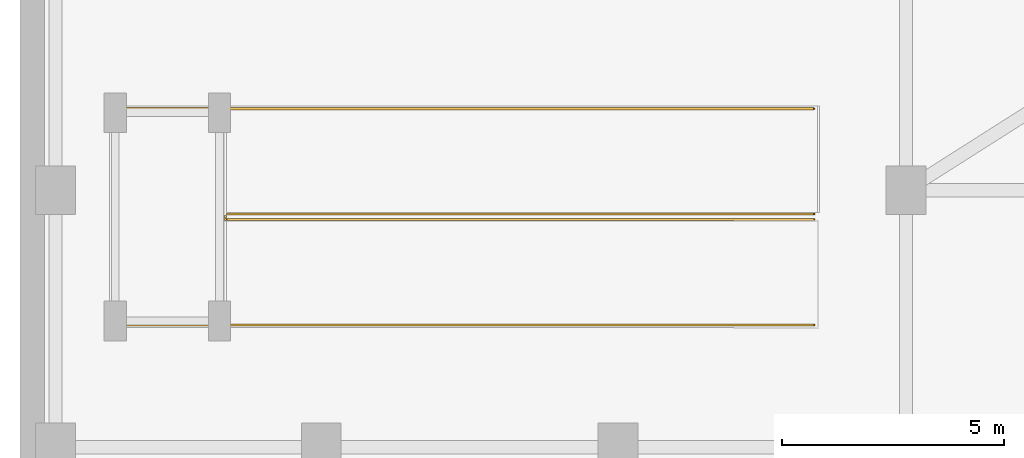
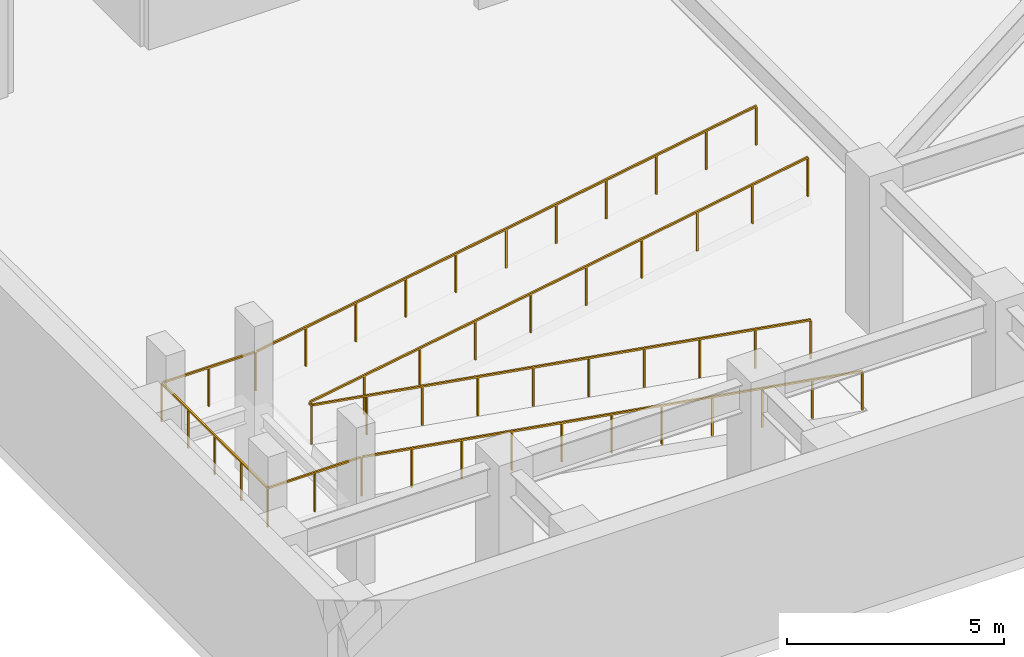
# One storey, part 7 of 8: 2 railings.
"""IFC4 building model written with IfcOpenShell, lengths in metres."""

import ifcopenshell
import ifcopenshell.guid

model = None  # the IFC model being written
_history = None  # IfcOwnerHistory: only IFC2X3 demands one
_inside = {}  # id of a spatial element -> (the spatial element, [elements in it])
_under = {}  # id of a project, library or spatial element -> (it, [spatial elements below it])
_declared = {}  # id of a project -> (the project, [libraries it declares])
_typed = {}  # id of a type object -> (the type object, [elements of that type])
_made_of = {}  # id of a material, layer set ... -> (it, [elements and type objects made of it])


def new_model(schema):
    """Start an empty IFC model of exactly this schema.

    Asked for "IFC4X3", IfcOpenShell would pick the latest addendum, in which some entities
    have other attributes; the version numbers below select the first issue.
    IFC2X3 requires an IfcOwnerHistory on every rooted entity: one is made here for all.
    """
    global model, _history
    if schema == "IFC4X3":
        model = ifcopenshell.file(schema_version=(4, 3, 0, 0))
    else:
        model = ifcopenshell.file(schema=schema)
    _inside.clear()
    _under.clear()
    _declared.clear()
    _typed.clear()
    _made_of.clear()
    _history = None
    if model.schema == "IFC2X3":
        org = make("IfcOrganization", Name="unknown")
        user = make(
            "IfcPersonAndOrganization",
            ThePerson=make("IfcPerson", FamilyName="unknown"),
            TheOrganization=org,
        )
        app = make(
            "IfcApplication",
            ApplicationDeveloper=org,
            Version="unknown",
            ApplicationFullName="unknown",
            ApplicationIdentifier="unknown",
        )
        _history = make(
            "IfcOwnerHistory",
            OwningUser=user,
            OwningApplication=app,
            ChangeAction="ADDED",
            CreationDate=0,
        )
    return model


def make(cls, **values):
    """One entity of the class cls with the attributes given. An attribute that is None is left unset."""
    return model.create_entity(
        cls, **{name: value for name, value in values.items() if value is not None}
    )


def rooted(cls, **values):
    """An entity with a GlobalId (a new one), such as an element, a storey or a relation."""
    return make(cls, GlobalId=ifcopenshell.guid.new(), OwnerHistory=_history, **values)


def si_unit(unit_type, name, prefix=None):
    """IfcSIUnit, for example si_unit("LENGTHUNIT", "METRE", prefix="MILLI")."""
    return make("IfcSIUnit", UnitType=unit_type, Prefix=prefix, Name=name)


def assignment(units):
    """IfcUnitAssignment: the units of a project."""
    return None if units is None else make("IfcUnitAssignment", Units=units)


def point(xyz):
    """IfcCartesianPoint."""
    return None if xyz is None else make("IfcCartesianPoint", Coordinates=xyz)


def direction(xyz):
    """IfcDirection."""
    return None if xyz is None else make("IfcDirection", DirectionRatios=xyz)


def frame(location, z_axis=None, x_axis=None):
    """IfcAxis2Placement3D, a coordinate frame: its origin and axes. An axis left out is left unset."""
    return make(
        "IfcAxis2Placement3D",
        Location=point(location),
        Axis=direction(z_axis),
        RefDirection=direction(x_axis),
    )


def frame_2d(location, x_axis=None):
    """IfcAxis2Placement2D, a coordinate frame in the plane: its origin and x axis."""
    return make(
        "IfcAxis2Placement2D", Location=point(location), RefDirection=direction(x_axis)
    )


def origin():
    """The frame at (0, 0, 0) with its axes left unset."""
    return frame((0.0, 0.0, 0.0))


def origin_2d():
    """The frame at (0, 0) in the plane with its x axis left unset."""
    return frame_2d((0.0, 0.0))


def place(relative_to, where):
    """IfcLocalPlacement: puts the frame where relative to a parent placement (None: the world)."""
    return make(
        "IfcLocalPlacement", PlacementRelTo=relative_to, RelativePlacement=where
    )


def context(
    kind, dimensions, precision=None, world=None, true_north=None, identifier=None
):
    """IfcGeometricRepresentationContext, for example the 3D "Model" context."""
    return make(
        "IfcGeometricRepresentationContext",
        ContextIdentifier=identifier,
        ContextType=kind,
        CoordinateSpaceDimension=dimensions,
        Precision=precision,
        WorldCoordinateSystem=world,
        TrueNorth=true_north,
    )


def subcontext(parent, identifier, kind, view, scale=None):
    """IfcGeometricRepresentationSubContext, for example "Body" below "Model"."""
    return make(
        "IfcGeometricRepresentationSubContext",
        ContextIdentifier=identifier,
        ContextType=kind,
        ParentContext=parent,
        TargetScale=scale,
        TargetView=view,
    )


def project(units=None, contexts=None):
    """IfcProject with its units and contexts."""
    return rooted(
        "IfcProject",
        Name="project",
        RepresentationContexts=contexts,
        UnitsInContext=assignment(units),
    )


def spatial(cls, under=None, at=None, **own):
    """A site, building, storey or space (cls), placed at a placement, below another one or the project."""
    s = rooted(cls, ObjectPlacement=at, **own)
    if under is not None:
        _under.setdefault(under.id(), (under, []))[1].append(s)
    return s


def profile(cls, at=None, kind="AREA", **sizes):
    """A parametric profile (cls). Its sizes go by their IFC names, for example OverallWidth=200.0."""
    return make(cls, ProfileType=kind, Position=at, **sizes)


def rectangle(**sizes):
    """IfcRectangleProfileDef."""
    return profile("IfcRectangleProfileDef", **sizes)


def extrude(swept, where, along, depth):
    """IfcExtrudedAreaSolid: the profile swept, set in the frame where, extruded along a direction by depth."""
    return make(
        "IfcExtrudedAreaSolid",
        SweptArea=swept,
        Position=where,
        ExtrudedDirection=direction(along),
        Depth=depth,
    )


def shape(context_of_items, identifier, shape_type, items):
    """IfcShapeRepresentation: the items that make up one representation, for example the "Body"."""
    return make(
        "IfcShapeRepresentation",
        ContextOfItems=context_of_items,
        RepresentationIdentifier=identifier,
        RepresentationType=shape_type,
        Items=items,
    )


def material(Name=None, Category=None):
    """IfcMaterial."""
    return make("IfcMaterial", Name=Name, Category=Category)


def made_of(thing, what):
    """Note that an element or type object is made of a material, layer set ...; save() writes the relation."""
    if what is not None:
        _made_of.setdefault(what.id(), (what, []))[1].append(thing)
    return thing


def type_object(cls, material=None, **own):
    """A type object (cls), such as IfcWallType, which elements share."""
    return made_of(rooted(cls, **own), material)


def element(
    cls,
    number,
    at=None,
    inside=None,
    cuts=None,
    type_object=None,
    material=None,
    context=None,
    identifier="Body",
    shape_type=None,
    held_by="IfcProductDefinitionShape",
    body=None,
    shapes=None,
    **own,
):
    """One element of the class cls, such as IfcWall. Its Tag is "e" and its number.

    at: its placement. inside: the storey or other place that contains it. cuts: it is an
    opening in that element (IfcRelVoidsElement). A single representation is given by context,
    identifier, shape_type and body (its items); several are given by shapes. held_by: the class
    of the entity that holds the representations. save() writes the other relations.
    """
    e = rooted(cls, Tag="e%d" % number, ObjectPlacement=at, **own)
    if body is not None:
        shapes = [shape(context, identifier, shape_type, body)]
    if shapes is not None:
        e.Representation = make(held_by, Representations=shapes)
    if inside is not None:
        _inside.setdefault(inside.id(), (inside, []))[1].append(e)
    if cuts is not None:
        rooted(
            "IfcRelVoidsElement", RelatingBuildingElement=cuts, RelatedOpeningElement=e
        )
    if type_object is not None:
        _typed.setdefault(type_object.id(), (type_object, []))[1].append(e)
    return made_of(e, material)


def aggregate(whole, parts):
    """IfcRelAggregates: a whole, such as a stair, and the parts it consists of."""
    return rooted("IfcRelAggregates", RelatingObject=whole, RelatedObjects=parts)


def save(model, path):
    """Write the relations noted so far, then the file.

    IfcRelAggregates (storeys below a building ...), IfcRelContainedInSpatialStructure (elements
    in a storey), IfcRelDefinesByType, IfcRelAssociatesMaterial and IfcRelDeclares: one each for
    every whole, place, type object, material and project.
    """
    for whole, parts in _under.values():
        aggregate(whole, parts)
    for where, things in _inside.values():
        rooted(
            "IfcRelContainedInSpatialStructure",
            RelatedElements=things,
            RelatingStructure=where,
        )
    for kind, things in _typed.values():
        rooted("IfcRelDefinesByType", RelatedObjects=things, RelatingType=kind)
    for what, things in _made_of.values():
        rooted("IfcRelAssociatesMaterial", RelatedObjects=things, RelatingMaterial=what)
    for by, libraries in _declared.values():
        rooted("IfcRelDeclares", RelatingContext=by, RelatedDefinitions=libraries)
    model.write(path)


model = new_model("IFC4")

# Units and contexts
model_context = context("Model", 3, precision=1e-05, world=origin(), true_north=direction((0.0, 1.0)))
body_context = subcontext(model_context, "Body", "Model", "MODEL_VIEW")
ifc_project = project(units=[si_unit("LENGTHUNIT", "METRE"), si_unit("AREAUNIT", "SQUARE_METRE"), si_unit("VOLUMEUNIT", "CUBIC_METRE"), si_unit("PLANEANGLEUNIT", "RADIAN"), si_unit("MASSUNIT", "GRAM", prefix="KILO")], contexts=[model_context])

# Site, building, storey
site_placement = place(None, origin())
site = spatial("IfcSite", under=ifc_project, at=site_placement, CompositionType="ELEMENT")
building_placement = place(site_placement, origin())
building = spatial("IfcBuilding", under=site, at=building_placement, Name="Varnakorn Sky Granary", CompositionType="ELEMENT")
storey_placement = place(building_placement, frame((0.0, 0.0, -9.0)))
storey = spatial("IfcBuildingStorey", under=building, at=storey_placement, Name="B02", CompositionType="ELEMENT", Elevation=-9.0)

# Railings
ifc_material = material(Name="Brushed Stainless Steel 316", Category="steel")
railing_type = type_object("IfcRailingType", Name="RL-STAIR-1100", PredefinedType="GUARDRAIL", material=ifc_material)
railing_1_placement = place(storey_placement, frame((-16.080078125, -14.659912109375, 0.0)))
element("IfcRailing", 1, at=railing_1_placement, inside=storey, type_object=railing_type, Name="Vehicle Ramp Median Guard B02", PredefinedType="GUARDRAIL", context=body_context, shape_type="SweptSolid", body=[
    extrude(rectangle(XDim=0.048095703125, YDim=0.048095703125, at=origin_2d()), frame((0.0, 0.0, 1.09619140625), z_axis=(-0.985948982691, 0.0, 0.167046710626), x_axis=(0.0, -1.0, 0.0)), (0.0, 0.0, 1.0), 13.44140625),
    extrude(rectangle(XDim=0.048095703125, YDim=0.048095703125, at=origin_2d()), frame((-13.280029296875, 0.028076171875, 3.34619140625), z_axis=(0.0, 1.0, 0.0), x_axis=(-1.0, 0.0, 0.0)), (0.0, 0.0, 1.0), 0.06396484375),
    extrude(rectangle(XDim=0.048095703125, YDim=0.048095703125, at=origin_2d()), frame((-13.25244140625, 0.119873046875, 3.350830078125), z_axis=(0.985948982691, 0.0, 0.167046710626), x_axis=(0.0, 1.0, 0.0)), (0.0, 0.0, 1.0), 13.44140625),
    extrude(rectangle(XDim=0.0419921875, YDim=0.0419921875, at=origin_2d()), origin(), (0.0, 0.0, 1.0), 1.068115234375),
    extrude(rectangle(XDim=0.0419921875, YDim=0.0419921875, at=origin_2d()), frame((-1.4755859375, 0.0, 0.25)), (0.0, 0.0, 1.0), 1.068115234375),
    extrude(rectangle(XDim=0.0419921875, YDim=0.0419921875, at=origin_2d()), frame((-2.951171875, 0.0, 0.5)), (0.0, 0.0, 1.0), 1.068115234375),
    extrude(rectangle(XDim=0.0419921875, YDim=0.0419921875, at=origin_2d()), frame((-4.4267578125, 0.0, 0.75)), (0.0, 0.0, 1.0), 1.068115234375),
    extrude(rectangle(XDim=0.0419921875, YDim=0.0419921875, at=origin_2d()), frame((-5.90234375, 0.0, 1.0)), (0.0, 0.0, 1.0), 1.068115234375),
    extrude(rectangle(XDim=0.0419921875, YDim=0.0419921875, at=origin_2d()), frame((-7.377685546875, 0.0, 1.25)), (0.0, 0.0, 1.0), 1.068115234375),
    extrude(rectangle(XDim=0.0419921875, YDim=0.0419921875, at=origin_2d()), frame((-8.853271484375, 0.0, 1.5)), (0.0, 0.0, 1.0), 1.068115234375),
    extrude(rectangle(XDim=0.0419921875, YDim=0.0419921875, at=origin_2d()), frame((-10.328857421875, 0.0, 1.75)), (0.0, 0.0, 1.0), 1.068115234375),
    extrude(rectangle(XDim=0.0419921875, YDim=0.0419921875, at=origin_2d()), frame((-11.804443359375, 0.0, 2.0)), (0.0, 0.0, 1.0), 1.068115234375),
    extrude(rectangle(XDim=0.0419921875, YDim=0.0419921875, at=origin_2d()), frame((-13.280029296875, 0.0, 2.25)), (0.0, 0.0, 1.0), 1.068115234375),
    extrude(rectangle(XDim=0.0419921875, YDim=0.0419921875, at=origin_2d()), frame((-11.804443359375, 0.119873046875, 2.5)), (0.0, 0.0, 1.0), 1.068115234375),
    extrude(rectangle(XDim=0.0419921875, YDim=0.0419921875, at=origin_2d()), frame((-10.328857421875, 0.119873046875, 2.75)), (0.0, 0.0, 1.0), 1.068115234375),
    extrude(rectangle(XDim=0.0419921875, YDim=0.0419921875, at=origin_2d()), frame((-8.853271484375, 0.119873046875, 3.0)), (0.0, 0.0, 1.0), 1.068115234375),
    extrude(rectangle(XDim=0.0419921875, YDim=0.0419921875, at=origin_2d()), frame((-7.377685546875, 0.119873046875, 3.25)), (0.0, 0.0, 1.0), 1.068115234375),
    extrude(rectangle(XDim=0.0419921875, YDim=0.0419921875, at=origin_2d()), frame((-5.90234375, 0.119873046875, 3.5)), (0.0, 0.0, 1.0), 1.068115234375),
    extrude(rectangle(XDim=0.0419921875, YDim=0.0419921875, at=origin_2d()), frame((-4.4267578125, 0.119873046875, 3.75)), (0.0, 0.0, 1.0), 1.068115234375),
    extrude(rectangle(XDim=0.0419921875, YDim=0.0419921875, at=origin_2d()), frame((-2.951171875, 0.119873046875, 4.0)), (0.0, 0.0, 1.0), 1.068115234375),
    extrude(rectangle(XDim=0.0419921875, YDim=0.0419921875, at=origin_2d()), frame((-1.4755859375, 0.119873046875, 4.25)), (0.0, 0.0, 1.0), 1.068115234375),
    extrude(rectangle(XDim=0.0419921875, YDim=0.0419921875, at=origin_2d()), frame((0.0, 0.119873046875, 4.5)), (0.0, 0.0, 1.0), 1.068115234375),
])
railing_2_placement = place(storey_placement, frame((-16.080078125, -17.0400390625, 0.0)))
element("IfcRailing", 2, at=railing_2_placement, inside=storey, type_object=railing_type, Name="Vehicle Ramp Outer Perimeter Guard B02", PredefinedType="GUARDRAIL", context=body_context, shape_type="SweptSolid", body=[
    extrude(rectangle(XDim=0.048095703125, YDim=0.048095703125, at=origin_2d()), frame((0.0, 0.0, 1.09619140625), z_axis=(-0.986031067814, 0.0, 0.166561500073), x_axis=(0.0, -1.0, 0.0)), (0.0, 0.0, 1.0), 13.48046875),
    extrude(rectangle(XDim=0.048095703125, YDim=0.048095703125, at=origin_2d()), frame((-13.347900390625, 0.0, 3.34619140625), z_axis=(-1.0, 0.0, 0.0), x_axis=(0.0, -1.0, 0.0)), (0.0, 0.0, 1.0), 2.444091796875),
    extrude(rectangle(XDim=0.048095703125, YDim=0.048095703125, at=origin_2d()), frame((-15.81982421875, 0.028076171875, 3.34619140625), z_axis=(0.0, 1.0, 0.0), x_axis=(-1.0, 0.0, 0.0)), (0.0, 0.0, 1.0), 4.82421875),
    extrude(rectangle(XDim=0.048095703125, YDim=0.048095703125, at=origin_2d()), frame((-15.791748046875, 4.880126953125, 3.34619140625), z_axis=(1.0, 0.0, 0.0), x_axis=(0.0, 1.0, 0.0)), (0.0, 0.0, 1.0), 2.444091796875),
    extrude(rectangle(XDim=0.048095703125, YDim=0.048095703125, at=origin_2d()), frame((-13.292236328125, 4.880126953125, 3.350830078125), z_axis=(0.986031067814, 0.0, 0.166561500073), x_axis=(0.0, 1.0, 0.0)), (0.0, 0.0, 1.0), 13.48046875),
    extrude(rectangle(XDim=0.0419921875, YDim=0.0419921875, at=origin_2d()), origin(), (0.0, 0.0, 1.0), 1.068115234375),
    extrude(rectangle(XDim=0.0419921875, YDim=0.0419921875, at=origin_2d()), frame((-1.33203125, 0.0, 0.22509765625)), (0.0, 0.0, 1.0), 1.068115234375),
    extrude(rectangle(XDim=0.0419921875, YDim=0.0419921875, at=origin_2d()), frame((-2.6640625, 0.0, 0.449951171875)), (0.0, 0.0, 1.0), 1.068115234375),
    extrude(rectangle(XDim=0.0419921875, YDim=0.0419921875, at=origin_2d()), frame((-3.995849609375, 0.0, 0.675048828125)), (0.0, 0.0, 1.0), 1.068115234375),
    extrude(rectangle(XDim=0.0419921875, YDim=0.0419921875, at=origin_2d()), frame((-5.327880859375, 0.0, 0.89990234375)), (0.0, 0.0, 1.0), 1.068115234375),
    extrude(rectangle(XDim=0.0419921875, YDim=0.0419921875, at=origin_2d()), frame((-6.659912109375, 0.0, 1.125)), (0.0, 0.0, 1.0), 1.068115234375),
    extrude(rectangle(XDim=0.0419921875, YDim=0.0419921875, at=origin_2d()), frame((-7.991943359375, 0.0, 1.35009765625)), (0.0, 0.0, 1.0), 1.068115234375),
    extrude(rectangle(XDim=0.0419921875, YDim=0.0419921875, at=origin_2d()), frame((-9.323974609375, 0.0, 1.574951171875)), (0.0, 0.0, 1.0), 1.068115234375),
    extrude(rectangle(XDim=0.0419921875, YDim=0.0419921875, at=origin_2d()), frame((-10.65576171875, 0.0, 1.800048828125)), (0.0, 0.0, 1.0), 1.068115234375),
    extrude(rectangle(XDim=0.0419921875, YDim=0.0419921875, at=origin_2d()), frame((-11.98779296875, 0.0, 2.02490234375)), (0.0, 0.0, 1.0), 1.068115234375),
    extrude(rectangle(XDim=0.0419921875, YDim=0.0419921875, at=origin_2d()), frame((-13.31982421875, 0.0, 2.25)), (0.0, 0.0, 1.0), 1.068115234375),
    extrude(rectangle(XDim=0.0419921875, YDim=0.0419921875, at=origin_2d()), frame((-14.56982421875, 0.0, 2.25)), (0.0, 0.0, 1.0), 1.068115234375),
    extrude(rectangle(XDim=0.0419921875, YDim=0.0419921875, at=origin_2d()), frame((-15.81982421875, 0.0, 2.25)), (0.0, 0.0, 1.0), 1.068115234375),
    extrude(rectangle(XDim=0.0419921875, YDim=0.0419921875, at=origin_2d()), frame((-15.81982421875, 1.219970703125, 2.25)), (0.0, 0.0, 1.0), 1.068115234375),
    extrude(rectangle(XDim=0.0419921875, YDim=0.0419921875, at=origin_2d()), frame((-15.81982421875, 2.43994140625, 2.25)), (0.0, 0.0, 1.0), 1.068115234375),
    extrude(rectangle(XDim=0.0419921875, YDim=0.0419921875, at=origin_2d()), frame((-15.81982421875, 3.66015625, 2.25)), (0.0, 0.0, 1.0), 1.068115234375),
    extrude(rectangle(XDim=0.0419921875, YDim=0.0419921875, at=origin_2d()), frame((-15.81982421875, 4.880126953125, 2.25)), (0.0, 0.0, 1.0), 1.068115234375),
    extrude(rectangle(XDim=0.0419921875, YDim=0.0419921875, at=origin_2d()), frame((-14.56982421875, 4.880126953125, 2.25)), (0.0, 0.0, 1.0), 1.068115234375),
    extrude(rectangle(XDim=0.0419921875, YDim=0.0419921875, at=origin_2d()), frame((-13.31982421875, 4.880126953125, 2.25)), (0.0, 0.0, 1.0), 1.068115234375),
    extrude(rectangle(XDim=0.0419921875, YDim=0.0419921875, at=origin_2d()), frame((-11.98779296875, 4.880126953125, 2.47509765625)), (0.0, 0.0, 1.0), 1.068115234375),
    extrude(rectangle(XDim=0.0419921875, YDim=0.0419921875, at=origin_2d()), frame((-10.65576171875, 4.880126953125, 2.699951171875)), (0.0, 0.0, 1.0), 1.068115234375),
    extrude(rectangle(XDim=0.0419921875, YDim=0.0419921875, at=origin_2d()), frame((-9.323974609375, 4.880126953125, 2.925048828125)), (0.0, 0.0, 1.0), 1.068115234375),
    extrude(rectangle(XDim=0.0419921875, YDim=0.0419921875, at=origin_2d()), frame((-7.991943359375, 4.880126953125, 3.14990234375)), (0.0, 0.0, 1.0), 1.068115234375),
    extrude(rectangle(XDim=0.0419921875, YDim=0.0419921875, at=origin_2d()), frame((-6.659912109375, 4.880126953125, 3.375)), (0.0, 0.0, 1.0), 1.068115234375),
    extrude(rectangle(XDim=0.0419921875, YDim=0.0419921875, at=origin_2d()), frame((-5.327880859375, 4.880126953125, 3.60009765625)), (0.0, 0.0, 1.0), 1.068115234375),
    extrude(rectangle(XDim=0.0419921875, YDim=0.0419921875, at=origin_2d()), frame((-3.995849609375, 4.880126953125, 3.824951171875)), (0.0, 0.0, 1.0), 1.068115234375),
    extrude(rectangle(XDim=0.0419921875, YDim=0.0419921875, at=origin_2d()), frame((-2.6640625, 4.880126953125, 4.050048828125)), (0.0, 0.0, 1.0), 1.068115234375),
    extrude(rectangle(XDim=0.0419921875, YDim=0.0419921875, at=origin_2d()), frame((-1.33203125, 4.880126953125, 4.27490234375)), (0.0, 0.0, 1.0), 1.068115234375),
    extrude(rectangle(XDim=0.0419921875, YDim=0.0419921875, at=origin_2d()), frame((0.0, 4.880126953125, 4.5)), (0.0, 0.0, 1.0), 1.068115234375),
])

save(model, "model.ifc")
